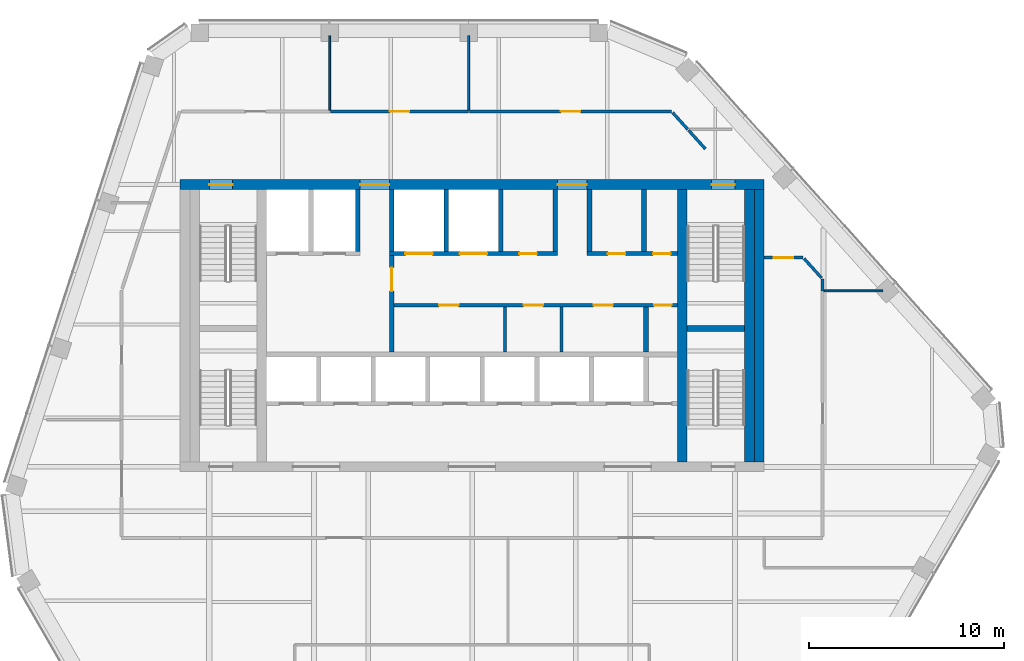
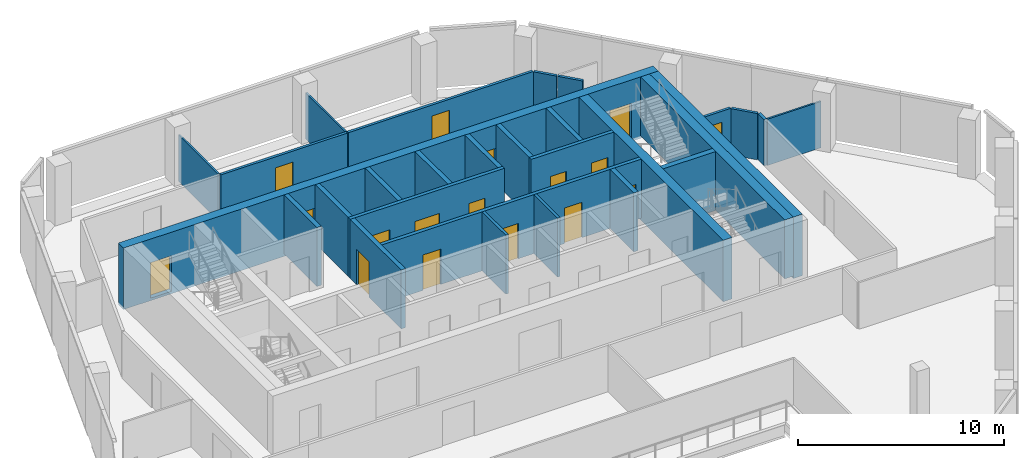
# One storey, part 9 of 15: 29 walls, 17 doors, 17 openings.
"""IFC4 building model written with IfcOpenShell, lengths in metres."""

from ifc_helpers import new_model, si_unit, direction, frame, frame_2d, origin, place, context, subcontext, project, spatial, rectangle, extrude, material, layer, layer_set, type_object, element, fill, save


model = new_model("IFC4")

# Units and contexts
model_context = context("Model", 3, precision=1e-05, world=origin(), true_north=direction((0.0, 1.0)))
body_context = subcontext(model_context, "Body", "Model", "MODEL_VIEW")
ifc_project = project(units=[si_unit("LENGTHUNIT", "METRE"), si_unit("AREAUNIT", "SQUARE_METRE"), si_unit("VOLUMEUNIT", "CUBIC_METRE"), si_unit("PLANEANGLEUNIT", "RADIAN"), si_unit("MASSUNIT", "GRAM", prefix="KILO")], contexts=[model_context])

# Site, building, storey
site_placement = place(None, origin())
site = spatial("IfcSite", under=ifc_project, at=site_placement, CompositionType="ELEMENT")
building_placement = place(site_placement, origin())
building = spatial("IfcBuilding", under=site, at=building_placement, Name="Isthmus Gate Tower", CompositionType="ELEMENT")
storey_placement = place(building_placement, frame((0.0, 0.0, 286.5)))
storey = spatial("IfcBuildingStorey", under=building, at=storey_placement, Name="L73", CompositionType="ELEMENT", Elevation=286.5)

# Wall
ifc_material_1 = material(Name="Gypsum board on steel studs, fire-rated", Category="steel")
ifc_layer_1 = layer(ifc_material_1, 0.14990234375)
ifc_layer_set_1 = layer_set([ifc_layer_1], Name="CORRIDOR WALL 150 60 MIN")
wall_type_1 = type_object("IfcWallType", Name="CORRIDOR WALL 150 60 MIN", PredefinedType="PARTITIONING", material=ifc_layer_set_1)
wall_1_placement = place(storey_placement, frame((18.0, 9.89501953125, 0.0), z_axis=(0.0, 0.0, 1.0), x_axis=(0.0, -1.0, 0.0)))
element("IfcWall", 1, at=wall_1_placement, inside=storey, type_object=wall_type_1, Name="L73 Corridor Wall 150 60 Min", PredefinedType="PARTITIONING", context=body_context, shape_type="SweptSolid", body=[
    extrude(rectangle(XDim=0.60498046875, YDim=0.14990234375, at=frame_2d((0.302490234375, 0.0))), origin(), (0.0, 0.0, 1.0), 2.750732421875),
])

# Wall, opening, door
wall_2_placement = place(storey_placement, frame((-7.260009765625, 18.5, 0.0), z_axis=(0.0, 0.0, 1.0), x_axis=(1.0, 0.0, 0.0)))
wall_2 = element("IfcWall", 2, at=wall_2_placement, inside=storey, type_object=wall_type_1, Name="L73 Corridor Wall 150 60 Min", PredefinedType="PARTITIONING", context=body_context, shape_type="SweptSolid", body=[
    extrude(rectangle(XDim=7.0849609375, YDim=0.14990234375, at=frame_2d((3.54248046875, 0.0))), origin(), (0.0, 0.0, 1.0), 2.750732421875),
])
opening_1_placement = place(wall_2_placement, frame((3.04248046875, 0.0, 0.0)))
opening_1 = element("IfcOpeningElement", 3, at=opening_1_placement, cuts=wall_2, Name="Opening DT-T6C-02", PredefinedType="OPENING", context=body_context, shape_type="SweptSolid", body=[
    extrude(rectangle(XDim=1.0, YDim=2.10009765625, at=frame_2d((0.5, 1.050048828125))), frame((0.0, 0.0849609375, 0.0), z_axis=(0.0, -1.0, 0.0), x_axis=(1.0, 0.0, 0.0)), (0.0, 0.0, 1.0), 0.169921875),
])
ifc_material_2 = material(Name="Solid core timber door leaf, fire-rated", Category="wood")
door_type_1 = type_object("IfcDoorType", Name="FIRE DOOR ROOM 1000 X 2100 60 MIN", OperationType="SINGLE_SWING_LEFT", PredefinedType="DOOR", material=ifc_material_2)
door_1_placement = place(opening_1_placement, origin())
door_1 = element("IfcDoor", 4, at=door_1_placement, inside=storey, type_object=door_type_1, Name="L73 room door", OperationType="SINGLE_SWING_RIGHT", OverallHeight=2.10009765625, OverallWidth=1.0, PredefinedType="DOOR", context=body_context, shape_type="SweptSolid", body=[
    extrude(rectangle(XDim=1.0, YDim=2.10009765625, at=frame_2d((0.5, 1.050048828125))), frame((0.0, 0.02490234375, 0.0), z_axis=(0.0, -1.0, 0.0), x_axis=(1.0, 0.0, 0.0)), (0.0, 0.0, 1.0), 0.050048828125),
])
fill(opening_1, door_1)

wall_3_placement = place(storey_placement, frame((-0.125, 18.5, 0.0), z_axis=(0.0, 0.0, 1.0), x_axis=(1.0, 0.0, 0.0)))
wall_3 = element("IfcWall", 5, at=wall_3_placement, inside=storey, type_object=wall_type_1, Name="L73 Corridor Wall 150 60 Min", PredefinedType="PARTITIONING", context=body_context, shape_type="SweptSolid", body=[
    extrude(rectangle(XDim=10.376953125, YDim=0.14990234375, at=frame_2d((5.1884765625, 0.0))), origin(), (0.0, 0.0, 1.0), 2.750732421875),
])
opening_2_placement = place(wall_3_placement, frame((4.6884765625, 0.0, 0.0)))
opening_2 = element("IfcOpeningElement", 6, at=opening_2_placement, cuts=wall_3, Name="Opening DT-T6C-03", PredefinedType="OPENING", context=body_context, shape_type="SweptSolid", body=[
    extrude(rectangle(XDim=1.0, YDim=2.10009765625, at=frame_2d((0.5, 1.050048828125))), frame((0.0, 0.0849609375, 0.0), z_axis=(0.0, -1.0, 0.0), x_axis=(1.0, 0.0, 0.0)), (0.0, 0.0, 1.0), 0.169921875),
])
door_2_placement = place(opening_2_placement, origin())
door_2 = element("IfcDoor", 7, at=door_2_placement, inside=storey, type_object=door_type_1, Name="L73 room door", OperationType="SINGLE_SWING_RIGHT", OverallHeight=2.10009765625, OverallWidth=1.0, PredefinedType="DOOR", context=body_context, shape_type="SweptSolid", body=[
    extrude(rectangle(XDim=1.0, YDim=2.10009765625, at=frame_2d((0.5, 1.050048828125))), frame((0.0, 0.02490234375, 0.0), z_axis=(0.0, -1.0, 0.0), x_axis=(1.0, 0.0, 0.0)), (0.0, 0.0, 1.0), 0.050048828125),
])
fill(opening_2, door_2)

# Walls
wall_4_placement = place(storey_placement, frame((10.30224609375, 18.4443359375, 0.0), z_axis=(0.0, 0.0, 1.0), x_axis=(0.668964731622, -0.743294146247, 0.0)))
element("IfcWall", 8, at=wall_4_placement, inside=storey, type_object=wall_type_1, Name="L73 Corridor Wall 150 60 Min", PredefinedType="PARTITIONING", context=body_context, shape_type="SweptSolid", body=[
    extrude(rectangle(XDim=1.162841796875, YDim=0.14990234375, at=frame_2d((0.58154296875, 0.0))), origin(), (0.0, 0.0, 1.0), 2.750732421875),
])
wall_5_placement = place(storey_placement, frame((11.113525390625, 17.542724609375, 0.0), z_axis=(0.0, 0.0, 1.0), x_axis=(0.669172057426, -0.743107500675, 0.0)))
element("IfcWall", 9, at=wall_5_placement, inside=storey, type_object=wall_type_1, Name="L73 Corridor Wall 150 60 Min", PredefinedType="PARTITIONING", context=body_context, shape_type="SweptSolid", body=[
    extrude(rectangle(XDim=1.301025390625, YDim=0.14990234375, at=frame_2d((0.650390625, 0.0))), origin(), (0.0, 0.0, 1.0), 2.750732421875),
])

# Wall, opening, door
wall_6_placement = place(storey_placement, frame((15.0, 11.0, 0.0), z_axis=(0.0, 0.0, 1.0), x_axis=(1.0, 0.0, 0.0)))
wall_6 = element("IfcWall", 10, at=wall_6_placement, inside=storey, type_object=wall_type_1, Name="L73 Corridor Wall 150 60 Min", PredefinedType="PARTITIONING", context=body_context, shape_type="SweptSolid", body=[
    extrude(rectangle(XDim=2.0048828125, YDim=0.14990234375, at=frame_2d((1.00244140625, 0.0))), origin(), (0.0, 0.0, 1.0), 2.750732421875),
])
opening_3_placement = place(wall_6_placement, frame((0.50244140625, 0.0, 0.0)))
opening_3 = element("IfcOpeningElement", 11, at=opening_3_placement, cuts=wall_6, Name="Opening DT-T6C-04", PredefinedType="OPENING", context=body_context, shape_type="SweptSolid", body=[
    extrude(rectangle(XDim=1.0, YDim=2.10009765625, at=frame_2d((0.5, 1.050048828125))), frame((0.0, 0.0849609375, 0.0), z_axis=(0.0, -1.0, 0.0), x_axis=(1.0, 0.0, 0.0)), (0.0, 0.0, 1.0), 0.169921875),
])
door_3_placement = place(opening_3_placement, origin())
door_3 = element("IfcDoor", 12, at=door_3_placement, inside=storey, type_object=door_type_1, Name="L73 room door", OperationType="SINGLE_SWING_LEFT", OverallHeight=2.10009765625, OverallWidth=1.0, PredefinedType="DOOR", context=body_context, shape_type="SweptSolid", body=[
    extrude(rectangle(XDim=1.0, YDim=2.10009765625, at=frame_2d((0.5, 1.050048828125))), frame((0.0, 0.02490234375, 0.0), z_axis=(0.0, -1.0, 0.0), x_axis=(1.0, 0.0, 0.0)), (0.0, 0.0, 1.0), 0.050048828125),
])
fill(opening_3, door_3)

# Wall
wall_7_placement = place(storey_placement, frame((17.05517578125, 10.9443359375, 0.0), z_axis=(0.0, 0.0, 1.0), x_axis=(0.669065612335, -0.743203341213, 0.0)))
element("IfcWall", 13, at=wall_7_placement, inside=storey, type_object=wall_type_1, Name="L73 Corridor Wall 150 60 Min", PredefinedType="PARTITIONING", context=body_context, shape_type="SweptSolid", body=[
    extrude(rectangle(XDim=1.3369140625, YDim=0.14990234375, at=frame_2d((0.66845703125, 0.0))), origin(), (0.0, 0.0, 1.0), 2.750732421875),
])

# Wall, opening, door
ifc_material_3 = material(Name="Fire-rated blockwork masonry, 15 MPa", Category="masonry")
ifc_layer_2 = layer(ifc_material_3, 0.25)
ifc_layer_set_2 = layer_set([ifc_layer_2], Name="FIRE-FIGHTING LOBBY WALL 250 90 MIN")
wall_type_2 = type_object("IfcWallType", Name="FIRE-FIGHTING LOBBY WALL 250 90 MIN", PredefinedType="PARTITIONING", material=ifc_layer_set_2)
wall_8_placement = place(storey_placement, frame((-4.125, 6.14990234375, 0.0), z_axis=(0.0, 0.0, 1.0), x_axis=(0.0, 1.0, 0.0)))
wall_8 = element("IfcWall", 14, at=wall_8_placement, inside=storey, type_object=wall_type_2, Name="L73 FIRE-FIGHTING LOBBY WALL 250 90 MIN", PredefinedType="PARTITIONING", context=body_context, shape_type="SweptSolid", body=[
    extrude(rectangle(XDim=4.9501953125, YDim=0.25, at=frame_2d((2.47509765625, 0.0))), origin(), (0.0, 0.0, 1.0), 3.5),
])
opening_4_placement = place(wall_8_placement, frame((3.125, 0.0, 0.0)))
opening_4 = element("IfcOpeningElement", 15, at=opening_4_placement, cuts=wall_8, Name="Opening DC-A19-01", PredefinedType="OPENING", context=body_context, shape_type="SweptSolid", body=[
    extrude(rectangle(XDim=1.199951171875, YDim=2.10009765625, at=frame_2d((0.60009765625, 1.050048828125))), frame((0.0, 0.135009765625, 0.0), z_axis=(0.0, -1.0, 0.0), x_axis=(1.0, 0.0, 0.0)), (0.0, 0.0, 1.0), 0.27001953125),
])
ifc_material_4 = material(Name="Steel door leaf, fire-rated", Category="steel")
door_type_2 = type_object("IfcDoorType", Name="LOBBY FIRE DOOR 1200 X 2100 90 MIN", OperationType="DOUBLE_DOOR_SINGLE_SWING", PredefinedType="DOOR", material=ifc_material_4)
door_4_placement = place(opening_4_placement, origin())
door_4 = element("IfcDoor", 16, at=door_4_placement, inside=storey, type_object=door_type_2, Name="Fire-fighting Lobby Door", OperationType="SINGLE_SWING_LEFT", OverallHeight=2.10009765625, OverallWidth=1.199951171875, PredefinedType="DOOR", context=body_context, shape_type="SweptSolid", body=[
    extrude(rectangle(XDim=1.199951171875, YDim=2.10009765625, at=frame_2d((0.60009765625, 1.050048828125))), frame((0.0, 0.02490234375, 0.0), z_axis=(0.0, -1.0, 0.0), x_axis=(1.0, 0.0, 0.0)), (0.0, 0.0, 1.0), 0.050048828125),
])
fill(opening_4, door_4)

# Wall
ifc_material_5 = material(Name="Concrete f'c 50 MPa", Category="concrete")
ifc_layer_3 = layer(ifc_material_5, 0.5)
ifc_layer_set_3 = layer_set([ifc_layer_3], Name="RC CORE SPINE WALL 500 F'C 50")
wall_type_3 = type_object("IfcWallType", Name="RC CORE SPINE WALL 500 F'C 50", PredefinedType="SOLIDWALL", material=ifc_layer_set_3)
wall_9_placement = place(storey_placement, frame((10.800048828125, 0.5, -0.14990234375), z_axis=(0.0, 0.0, 1.0), x_axis=(0.0, 1.0, 0.0)))
element("IfcWall", 17, at=wall_9_placement, inside=storey, type_object=wall_type_3, Name="str-corewall-L73-SPE", PredefinedType="SOLIDWALL", context=body_context, shape_type="SweptSolid", body=[
    extrude(rectangle(XDim=14.0, YDim=0.5, at=frame_2d((7.0, 0.0))), origin(), (0.0, 0.0, 1.0), 3.64990234375),
])

# Wall, openings, doors
ifc_material_6 = material(Name="Concrete f'c 50 MPa", Category="concrete")
ifc_layer_4 = layer(ifc_material_6, 0.5)
ifc_layer_set_4 = layer_set([ifc_layer_4], Name="RC CORE WALL 500 F'C 50")
wall_type_4 = type_object("IfcWallType", Name="RC CORE WALL 500 F'C 50", PredefinedType="SOLIDWALL", material=ifc_layer_set_4)
wall_10_placement = place(storey_placement, frame((-15.0, 14.75, -0.14990234375), z_axis=(0.0, 0.0, 1.0), x_axis=(1.0, 0.0, 0.0)))
wall_10 = element("IfcWall", 18, at=wall_10_placement, inside=storey, type_object=wall_type_4, Name="str-corewall-L73-N", PredefinedType="SOLIDWALL", context=body_context, shape_type="SweptSolid", body=[
    extrude(rectangle(XDim=30.0, YDim=0.5, at=frame_2d((15.0, 0.0))), origin(), (0.0, 0.0, 1.0), 3.64990234375),
])
opening_5_placement = place(wall_10_placement, frame((9.25, 0.0, 0.14990234375)))
opening_5 = element("IfcOpeningElement", 19, at=opening_5_placement, cuts=wall_10, Name="Opening DC-A19-13", PredefinedType="OPENING", context=body_context, shape_type="SweptSolid", body=[
    extrude(rectangle(XDim=1.5, YDim=2.10009765625, at=frame_2d((0.75, 1.050048828125))), frame((0.0, 0.260009765625, 0.0), z_axis=(0.0, -1.0, 0.0), x_axis=(1.0, 0.0, 0.0)), (0.0, 0.0, 1.0), 0.52001953125),
])
opening_6_placement = place(wall_10_placement, frame((19.39990234375, 0.0, 0.14990234375)))
opening_6 = element("IfcOpeningElement", 20, at=opening_6_placement, cuts=wall_10, Name="Opening DC-A19-14", PredefinedType="OPENING", context=body_context, shape_type="SweptSolid", body=[
    extrude(rectangle(XDim=1.5, YDim=2.10009765625, at=frame_2d((0.75, 1.050048828125))), frame((0.0, 0.260009765625, 0.0), z_axis=(0.0, -1.0, 0.0), x_axis=(1.0, 0.0, 0.0)), (0.0, 0.0, 1.0), 0.52001953125),
])
opening_7_placement = place(wall_10_placement, frame((1.5, 0.0, 0.14990234375)))
opening_7 = element("IfcOpeningElement", 21, at=opening_7_placement, cuts=wall_10, Name="Opening DC-A19-15", PredefinedType="OPENING", context=body_context, shape_type="SweptSolid", body=[
    extrude(rectangle(XDim=1.199951171875, YDim=2.10009765625, at=frame_2d((0.60009765625, 1.050048828125))), frame((0.0, 0.260009765625, 0.0), z_axis=(0.0, -1.0, 0.0), x_axis=(1.0, 0.0, 0.0)), (0.0, 0.0, 1.0), 0.52001953125),
])
opening_8_placement = place(wall_10_placement, frame((27.300048828125, 0.0, 0.14990234375)))
opening_8 = element("IfcOpeningElement", 22, at=opening_8_placement, cuts=wall_10, Name="Opening DC-A19-16", PredefinedType="OPENING", context=body_context, shape_type="SweptSolid", body=[
    extrude(rectangle(XDim=1.199951171875, YDim=2.10009765625, at=frame_2d((0.60009765625, 1.050048828125))), frame((0.0, 0.260009765625, 0.0), z_axis=(0.0, -1.0, 0.0), x_axis=(1.0, 0.0, 0.0)), (0.0, 0.0, 1.0), 0.52001953125),
])
ifc_material_7 = material(Name="Steel door leaf, fire-rated", Category="steel")
door_type_3 = type_object("IfcDoorType", Name="LOBBY FIRE DOOR 1500 X 2100 60 MIN", OperationType="DOUBLE_DOOR_SINGLE_SWING", PredefinedType="DOOR", material=ifc_material_7)
door_5_placement = place(opening_6_placement, origin())
door_5 = element("IfcDoor", 23, at=door_5_placement, inside=storey, type_object=door_type_3, Name="Lobby Door PN-E", OperationType="DOUBLE_DOOR_SINGLE_SWING", OverallHeight=2.10009765625, OverallWidth=1.5, PredefinedType="DOOR", context=body_context, shape_type="SweptSolid", body=[
    extrude(rectangle(XDim=1.5, YDim=2.10009765625, at=frame_2d((0.75, 1.050048828125))), frame((0.0, 0.02490234375, 0.0), z_axis=(0.0, -1.0, 0.0), x_axis=(1.0, 0.0, 0.0)), (0.0, 0.0, 1.0), 0.050048828125),
])
fill(opening_6, door_5)
ifc_material_8 = material(Name="Steel door leaf, fire-rated", Category="steel")
door_type_4 = type_object("IfcDoorType", Name="LOBBY FIRE DOOR 1500 X 2100 90 MIN", OperationType="DOUBLE_DOOR_SINGLE_SWING", PredefinedType="DOOR", material=ifc_material_8)
door_6_placement = place(opening_5_placement, origin())
door_6 = element("IfcDoor", 24, at=door_6_placement, inside=storey, type_object=door_type_4, Name="Lobby Door PN-W", OperationType="DOUBLE_DOOR_SINGLE_SWING", OverallHeight=2.10009765625, OverallWidth=1.5, PredefinedType="DOOR", context=body_context, shape_type="SweptSolid", body=[
    extrude(rectangle(XDim=1.5, YDim=2.10009765625, at=frame_2d((0.75, 1.050048828125))), frame((0.0, 0.02490234375, 0.0), z_axis=(0.0, -1.0, 0.0), x_axis=(1.0, 0.0, 0.0)), (0.0, 0.0, 1.0), 0.050048828125),
])
fill(opening_5, door_6)
ifc_material_9 = material(Name="Steel door leaf, fire-rated", Category="steel")
door_type_5 = type_object("IfcDoorType", Name="STAIR FIRE DOOR 1200 X 2100 90 MIN", OperationType="SINGLE_SWING_LEFT", PredefinedType="DOOR", material=ifc_material_9)
door_7_placement = place(opening_7_placement, origin())
door_7 = element("IfcDoor", 25, at=door_7_placement, inside=storey, type_object=door_type_5, Name="Exit Stair 1 Door", OperationType="SINGLE_SWING_RIGHT", OverallHeight=2.10009765625, OverallWidth=1.199951171875, PredefinedType="DOOR", context=body_context, shape_type="SweptSolid", body=[
    extrude(rectangle(XDim=1.199951171875, YDim=2.10009765625, at=frame_2d((0.60009765625, 1.050048828125))), frame((0.0, 0.02490234375, 0.0), z_axis=(0.0, -1.0, 0.0), x_axis=(1.0, 0.0, 0.0)), (0.0, 0.0, 1.0), 0.050048828125),
])
fill(opening_7, door_7)
door_8_placement = place(opening_8_placement, origin())
door_8 = element("IfcDoor", 26, at=door_8_placement, inside=storey, type_object=door_type_5, Name="Exit Stair 2 Door", OperationType="SINGLE_SWING_LEFT", OverallHeight=2.10009765625, OverallWidth=1.199951171875, PredefinedType="DOOR", context=body_context, shape_type="SweptSolid", body=[
    extrude(rectangle(XDim=1.199951171875, YDim=2.10009765625, at=frame_2d((0.60009765625, 1.050048828125))), frame((0.0, 0.02490234375, 0.0), z_axis=(0.0, -1.0, 0.0), x_axis=(1.0, 0.0, 0.0)), (0.0, 0.0, 1.0), 0.050048828125),
])
fill(opening_8, door_8)

# Walls
wall_11_placement = place(storey_placement, frame((14.75, 0.5, -0.14990234375), z_axis=(0.0, 0.0, 1.0), x_axis=(0.0, 1.0, 0.0)))
element("IfcWall", 27, at=wall_11_placement, inside=storey, type_object=wall_type_4, Name="str-corewall-L73-E", PredefinedType="SOLIDWALL", context=body_context, shape_type="SweptSolid", body=[
    extrude(rectangle(XDim=14.0, YDim=0.5, at=frame_2d((7.0, 0.0))), origin(), (0.0, 0.0, 1.0), 3.64990234375),
])
ifc_material_10 = material(Name="Gypsum board on steel studs, fire-rated", Category="steel")
ifc_layer_5 = layer(ifc_material_10, 0.10009765625)
ifc_layer_set_5 = layer_set([ifc_layer_5], Name="ROOM PARTITION 100 30 MIN")
wall_type_5 = type_object("IfcWallType", Name="ROOM PARTITION 100 30 MIN", PredefinedType="PARTITIONING", material=ifc_layer_set_5)
for number, where, z_axis, x_axis, name in (
    (28, (-7.31005859375, 18.574951171875, 0.0), (0.0, 0.0, 1.0), (0.0, 1.0, 0.0), "L73 Room Partition 100 30 Min"),
    (29, (-0.175048828125, 18.574951171875, 0.0), (0.0, 0.0, 1.0), (0.0, 1.0, 0.0), "L73 Room Partition 100 30 Min"),
):
    element("IfcWall", number, at=place(storey_placement, frame(where, z_axis=z_axis, x_axis=x_axis)), inside=storey, type_object=wall_type_5, Name=name, PredefinedType="PARTITIONING", context=body_context, shape_type="SweptSolid", body=[
        extrude(rectangle(XDim=3.824951171875, YDim=0.10009765625, at=frame_2d((1.91259765625, 0.0))), origin(), (0.0, 0.0, 1.0), 2.750732421875),
    ])
wall_12_placement = place(storey_placement, frame((18.074951171875, 9.2900390625, 0.0), z_axis=(0.0, 0.0, 1.0), x_axis=(1.0, 0.0, 0.0)))
element("IfcWall", 30, at=wall_12_placement, inside=storey, type_object=wall_type_5, Name="L73 Room Partition 100 30 Min", PredefinedType="PARTITIONING", context=body_context, shape_type="SweptSolid", body=[
    extrude(rectangle(XDim=3.026123046875, YDim=0.10009765625, at=frame_2d((1.51318359375, 0.0))), origin(), (0.0, 0.0, 1.0), 2.750732421875),
])
ifc_material_11 = material(Name="Gypsum board on steel studs, fire-rated", Category="steel")
ifc_layer_6 = layer(ifc_material_11, 0.14990234375)
ifc_layer_set_6 = layer_set([ifc_layer_6], Name="ROOM PARTITION 150 60 MIN")
wall_type_6 = type_object("IfcWallType", Name="ROOM PARTITION 150 60 MIN", PredefinedType="PARTITIONING", material=ifc_layer_set_6)
for number, where, z_axis, x_axis, name in (
    (31, (1.699951171875, 6.14990234375, 0.0), (0.0, 0.0, 1.0), (0.0, 1.0, 0.0), "L73 ROOM PARTITION 150 60 MIN"),
    (32, (4.60009765625, 6.14990234375, 0.0), (0.0, 0.0, 1.0), (0.0, 1.0, 0.0), "L73 ROOM PARTITION 150 60 MIN"),
):
    element("IfcWall", number, at=place(storey_placement, frame(where, z_axis=z_axis, x_axis=x_axis)), inside=storey, type_object=wall_type_6, Name=name, PredefinedType="PARTITIONING", context=body_context, shape_type="SweptSolid", body=[
        extrude(rectangle(XDim=2.300048828125, YDim=0.14990234375, at=frame_2d((1.14990234375, 0.0))), origin(), (0.0, 0.0, 1.0), 3.5),
    ])

# Wall, openings, doors
ifc_material_12 = material(Name="Fire-rated blockwork masonry, 15 MPa", Category="masonry")
ifc_layer_7 = layer(ifc_material_12, 0.199951171875)
ifc_layer_set_7 = layer_set([ifc_layer_7], Name="SHAFT FRONT WALL 200 120 MIN")
wall_type_7 = type_object("IfcWallType", Name="SHAFT FRONT WALL 200 120 MIN", PredefinedType="PARTITIONING", material=ifc_layer_set_7)
wall_13_placement = place(storey_placement, frame((-4.125, 8.550048828125, 0.0), z_axis=(0.0, 0.0, 1.0), x_axis=(1.0, 0.0, 0.0)))
wall_13 = element("IfcWall", 33, at=wall_13_placement, inside=storey, type_object=wall_type_7, Name="L73 SHAFT FRONT WALL 200 120 MIN", PredefinedType="PARTITIONING", context=body_context, shape_type="SweptSolid", body=[
    extrude(rectangle(XDim=14.675048828125, YDim=0.199951171875, at=frame_2d((7.33740234375, 0.0))), origin(), (0.0, 0.0, 1.0), 3.5),
])
opening_9_placement = place(wall_13_placement, frame((2.4375, 0.0, 0.0)))
opening_9 = element("IfcOpeningElement", 34, at=opening_9_placement, cuts=wall_13, Name="Opening DC-A19-03", PredefinedType="OPENING", context=body_context, shape_type="SweptSolid", body=[
    extrude(rectangle(XDim=1.0, YDim=2.10009765625, at=frame_2d((0.5, 1.050048828125))), frame((0.0, 0.10986328125, 0.0), z_axis=(0.0, -1.0, 0.0), x_axis=(1.0, 0.0, 0.0)), (0.0, 0.0, 1.0), 0.219970703125),
])
opening_10_placement = place(wall_13_placement, frame((6.77490234375, 0.0, 0.0)))
opening_10 = element("IfcOpeningElement", 35, at=opening_10_placement, cuts=wall_13, Name="Opening DC-A19-04", PredefinedType="OPENING", context=body_context, shape_type="SweptSolid", body=[
    extrude(rectangle(XDim=1.0, YDim=2.10009765625, at=frame_2d((0.5, 1.050048828125))), frame((0.0, 0.10986328125, 0.0), z_axis=(0.0, -1.0, 0.0), x_axis=(1.0, 0.0, 0.0)), (0.0, 0.0, 1.0), 0.219970703125),
])
opening_11_placement = place(wall_13_placement, frame((10.362548828125, 0.0, 0.0)))
opening_11 = element("IfcOpeningElement", 36, at=opening_11_placement, cuts=wall_13, Name="Opening DC-A19-05", PredefinedType="OPENING", context=body_context, shape_type="SweptSolid", body=[
    extrude(rectangle(XDim=1.0, YDim=2.10009765625, at=frame_2d((0.5, 1.050048828125))), frame((0.0, 0.10986328125, 0.0), z_axis=(0.0, -1.0, 0.0), x_axis=(1.0, 0.0, 0.0)), (0.0, 0.0, 1.0), 0.219970703125),
])
opening_12_placement = place(wall_13_placement, frame((13.47509765625, 0.0, 0.0)))
opening_12 = element("IfcOpeningElement", 37, at=opening_12_placement, cuts=wall_13, Name="Opening DC-A19-06", PredefinedType="OPENING", context=body_context, shape_type="SweptSolid", body=[
    extrude(rectangle(XDim=0.89990234375, YDim=2.10009765625, at=frame_2d((0.449951171875, 1.050048828125))), frame((0.0, 0.10986328125, 0.0), z_axis=(0.0, -1.0, 0.0), x_axis=(1.0, 0.0, 0.0)), (0.0, 0.0, 1.0), 0.219970703125),
])
ifc_material_13 = material(Name="Steel door leaf, fire-rated", Category="steel")
door_type_6 = type_object("IfcDoorType", Name="FIRE DOOR 1000 X 2100 60 MIN", OperationType="SINGLE_SWING_LEFT", PredefinedType="DOOR", material=ifc_material_13)
door_9_placement = place(opening_9_placement, origin())
door_9 = element("IfcDoor", 38, at=door_9_placement, inside=storey, type_object=door_type_6, Name="WC Women Door", OperationType="SINGLE_SWING_LEFT", OverallHeight=2.10009765625, OverallWidth=1.0, PredefinedType="DOOR", context=body_context, shape_type="SweptSolid", body=[
    extrude(rectangle(XDim=1.0, YDim=2.10009765625, at=frame_2d((0.5, 1.050048828125))), frame((0.0, 0.02490234375, 0.0), z_axis=(0.0, -1.0, 0.0), x_axis=(1.0, 0.0, 0.0)), (0.0, 0.0, 1.0), 0.050048828125),
])
fill(opening_9, door_9)
door_10_placement = place(opening_10_placement, origin())
door_10 = element("IfcDoor", 39, at=door_10_placement, inside=storey, type_object=door_type_6, Name="Accessible WC Door", OperationType="SINGLE_SWING_RIGHT", OverallHeight=2.10009765625, OverallWidth=1.0, PredefinedType="DOOR", context=body_context, shape_type="SweptSolid", body=[
    extrude(rectangle(XDim=1.0, YDim=2.10009765625, at=frame_2d((0.5, 1.050048828125))), frame((0.0, 0.02490234375, 0.0), z_axis=(0.0, -1.0, 0.0), x_axis=(1.0, 0.0, 0.0)), (0.0, 0.0, 1.0), 0.050048828125),
])
fill(opening_10, door_10)
door_11_placement = place(opening_11_placement, origin())
door_11 = element("IfcDoor", 40, at=door_11_placement, inside=storey, type_object=door_type_6, Name="WC Men Door", OperationType="SINGLE_SWING_LEFT", OverallHeight=2.10009765625, OverallWidth=1.0, PredefinedType="DOOR", context=body_context, shape_type="SweptSolid", body=[
    extrude(rectangle(XDim=1.0, YDim=2.10009765625, at=frame_2d((0.5, 1.050048828125))), frame((0.0, 0.02490234375, 0.0), z_axis=(0.0, -1.0, 0.0), x_axis=(1.0, 0.0, 0.0)), (0.0, 0.0, 1.0), 0.050048828125),
])
fill(opening_11, door_11)
ifc_material_14 = material(Name="Steel door leaf, fire-rated", Category="steel")
door_type_7 = type_object("IfcDoorType", Name="RISER FIRE DOOR 900 X 2100 90 MIN", OperationType="SINGLE_SWING_LEFT", PredefinedType="DOOR", material=ifc_material_14)
door_12_placement = place(opening_12_placement, origin())
door_12 = element("IfcDoor", 41, at=door_12_placement, inside=storey, type_object=door_type_7, Name="Riser Door", OperationType="SINGLE_SWING_RIGHT", OverallHeight=2.10009765625, OverallWidth=0.89990234375, PredefinedType="DOOR", context=body_context, shape_type="SweptSolid", body=[
    extrude(rectangle(XDim=0.89990234375, YDim=2.10009765625, at=frame_2d((0.449951171875, 1.050048828125))), frame((0.0, 0.02490234375, 0.0), z_axis=(0.0, -1.0, 0.0), x_axis=(1.0, 0.0, 0.0)), (0.0, 0.0, 1.0), 0.050048828125),
])
fill(opening_12, door_12)

wall_14_placement = place(storey_placement, frame((-4.25, 11.199951171875, 0.0), z_axis=(0.0, 0.0, 1.0), x_axis=(1.0, 0.0, 0.0)))
wall_14 = element("IfcWall", 42, at=wall_14_placement, inside=storey, type_object=wall_type_7, Name="L73 SHAFT FRONT WALL 200 120 MIN", PredefinedType="PARTITIONING", context=body_context, shape_type="SweptSolid", body=[
    extrude(rectangle(XDim=8.64990234375, YDim=0.199951171875, at=frame_2d((4.324951171875, 0.0))), origin(), (0.0, 0.0, 1.0), 3.5),
])
opening_13_placement = place(wall_14_placement, frame((0.824951171875, 0.0, 0.0)))
opening_13 = element("IfcOpeningElement", 43, at=opening_13_placement, cuts=wall_14, Name="Opening LD-LV1", PredefinedType="OPENING", context=body_context, shape_type="SweptSolid", body=[
    extrude(rectangle(XDim=1.39990234375, YDim=2.10009765625, at=frame_2d((0.699951171875, 1.050048828125))), frame((0.0, 0.10986328125, 0.0), z_axis=(0.0, -1.0, 0.0), x_axis=(1.0, 0.0, 0.0)), (0.0, 0.0, 1.0), 0.219970703125),
])
opening_14_placement = place(wall_14_placement, frame((3.625, 0.0, 0.0)))
opening_14 = element("IfcOpeningElement", 44, at=opening_14_placement, cuts=wall_14, Name="Opening LD-LV2", PredefinedType="OPENING", context=body_context, shape_type="SweptSolid", body=[
    extrude(rectangle(XDim=1.39990234375, YDim=2.10009765625, at=frame_2d((0.699951171875, 1.050048828125))), frame((0.0, 0.10986328125, 0.0), z_axis=(0.0, -1.0, 0.0), x_axis=(1.0, 0.0, 0.0)), (0.0, 0.0, 1.0), 0.219970703125),
])
opening_15_placement = place(wall_14_placement, frame((6.675048828125, 0.0, 0.0)))
opening_15 = element("IfcOpeningElement", 45, at=opening_15_placement, cuts=wall_14, Name="Opening DC-A19-07", PredefinedType="OPENING", context=body_context, shape_type="SweptSolid", body=[
    extrude(rectangle(XDim=0.89990234375, YDim=2.10009765625, at=frame_2d((0.449951171875, 1.050048828125))), frame((0.0, 0.10986328125, 0.0), z_axis=(0.0, -1.0, 0.0), x_axis=(1.0, 0.0, 0.0)), (0.0, 0.0, 1.0), 0.219970703125),
])
ifc_material_15 = material(Name="Steel door leaf, fire-rated", Category="steel")
door_type_8 = type_object("IfcDoorType", Name="FIRE DOOR 900 X 2100 60 MIN", OperationType="SINGLE_SWING_LEFT", PredefinedType="DOOR", material=ifc_material_15)
door_13_placement = place(opening_15_placement, origin())
door_13 = element("IfcDoor", 46, at=door_13_placement, inside=storey, type_object=door_type_8, Name="Comms Room Door", OperationType="SINGLE_SWING_LEFT", OverallHeight=2.10009765625, OverallWidth=0.89990234375, PredefinedType="DOOR", context=body_context, shape_type="SweptSolid", body=[
    extrude(rectangle(XDim=0.89990234375, YDim=2.10009765625, at=frame_2d((0.449951171875, 1.050048828125))), frame((0.0, 0.02490234375, 0.0), z_axis=(0.0, -1.0, 0.0), x_axis=(1.0, 0.0, 0.0)), (0.0, 0.0, 1.0), 0.050048828125),
])
fill(opening_15, door_13)
ifc_material_16 = material(Name="Stainless steel sliding leaf", Category="steel")
door_type_9 = type_object("IfcDoorType", Name="LIFT LANDING FIRE DOOR 1400 X 2100 90 MIN", OperationType="DOUBLE_DOOR_SLIDING", PredefinedType="DOOR", material=ifc_material_16)
door_14_placement = place(opening_13_placement, origin())
door_14 = element("IfcDoor", 47, at=door_14_placement, inside=storey, type_object=door_type_9, Name="Lift Landing Door LV1", OperationType="DOUBLE_DOOR_SLIDING", OverallHeight=2.10009765625, OverallWidth=1.39990234375, PredefinedType="DOOR", context=body_context, shape_type="SweptSolid", body=[
    extrude(rectangle(XDim=1.39990234375, YDim=2.10009765625, at=frame_2d((0.699951171875, 1.050048828125))), frame((0.0, 0.02490234375, 0.0), z_axis=(0.0, -1.0, 0.0), x_axis=(1.0, 0.0, 0.0)), (0.0, 0.0, 1.0), 0.050048828125),
])
fill(opening_13, door_14)
door_15_placement = place(opening_14_placement, origin())
door_15 = element("IfcDoor", 48, at=door_15_placement, inside=storey, type_object=door_type_9, Name="Lift Landing Door LV2", OperationType="DOUBLE_DOOR_SLIDING", OverallHeight=2.10009765625, OverallWidth=1.39990234375, PredefinedType="DOOR", context=body_context, shape_type="SweptSolid", body=[
    extrude(rectangle(XDim=1.39990234375, YDim=2.10009765625, at=frame_2d((0.699951171875, 1.050048828125))), frame((0.0, 0.02490234375, 0.0), z_axis=(0.0, -1.0, 0.0), x_axis=(1.0, 0.0, 0.0)), (0.0, 0.0, 1.0), 0.050048828125),
])
fill(opening_14, door_15)

wall_15_placement = place(storey_placement, frame((5.89990234375, 11.199951171875, 0.0), z_axis=(0.0, 0.0, 1.0), x_axis=(1.0, 0.0, 0.0)))
wall_15 = element("IfcWall", 49, at=wall_15_placement, inside=storey, type_object=wall_type_7, Name="L73 SHAFT FRONT WALL 200 120 MIN", PredefinedType="PARTITIONING", context=body_context, shape_type="SweptSolid", body=[
    extrude(rectangle(XDim=4.650146484375, YDim=0.199951171875, at=frame_2d((2.3251953125, 0.0))), origin(), (0.0, 0.0, 1.0), 3.5),
])
opening_16_placement = place(wall_15_placement, frame((1.074951171875, 0.0, 0.0)))
opening_16 = element("IfcOpeningElement", 50, at=opening_16_placement, cuts=wall_15, Name="Opening DC-A19-08", PredefinedType="OPENING", context=body_context, shape_type="SweptSolid", body=[
    extrude(rectangle(XDim=0.89990234375, YDim=2.10009765625, at=frame_2d((0.449951171875, 1.050048828125))), frame((0.0, 0.10986328125, 0.0), z_axis=(0.0, -1.0, 0.0), x_axis=(1.0, 0.0, 0.0)), (0.0, 0.0, 1.0), 0.219970703125),
])
opening_17_placement = place(wall_15_placement, frame((3.39990234375, 0.0, 0.0)))
opening_17 = element("IfcOpeningElement", 51, at=opening_17_placement, cuts=wall_15, Name="Opening DC-A19-09", PredefinedType="OPENING", context=body_context, shape_type="SweptSolid", body=[
    extrude(rectangle(XDim=0.89990234375, YDim=2.10009765625, at=frame_2d((0.449951171875, 1.050048828125))), frame((0.0, 0.10986328125, 0.0), z_axis=(0.0, -1.0, 0.0), x_axis=(1.0, 0.0, 0.0)), (0.0, 0.0, 1.0), 0.219970703125),
])
door_16_placement = place(opening_16_placement, origin())
door_16 = element("IfcDoor", 52, at=door_16_placement, inside=storey, type_object=door_type_8, Name="Stationery Store Door", OperationType="SINGLE_SWING_RIGHT", OverallHeight=2.10009765625, OverallWidth=0.89990234375, PredefinedType="DOOR", context=body_context, shape_type="SweptSolid", body=[
    extrude(rectangle(XDim=0.89990234375, YDim=2.10009765625, at=frame_2d((0.449951171875, 1.050048828125))), frame((0.0, 0.02490234375, 0.0), z_axis=(0.0, -1.0, 0.0), x_axis=(1.0, 0.0, 0.0)), (0.0, 0.0, 1.0), 0.050048828125),
])
fill(opening_16, door_16)
door_17_placement = place(opening_17_placement, origin())
door_17 = element("IfcDoor", 53, at=door_17_placement, inside=storey, type_object=door_type_7, Name="Riser Door", OperationType="SINGLE_SWING_LEFT", OverallHeight=2.10009765625, OverallWidth=0.89990234375, PredefinedType="DOOR", context=body_context, shape_type="SweptSolid", body=[
    extrude(rectangle(XDim=0.89990234375, YDim=2.10009765625, at=frame_2d((0.449951171875, 1.050048828125))), frame((0.0, 0.02490234375, 0.0), z_axis=(0.0, -1.0, 0.0), x_axis=(1.0, 0.0, 0.0)), (0.0, 0.0, 1.0), 0.050048828125),
])
fill(opening_17, door_17)

# Walls
ifc_material_17 = material(Name="Fire-rated blockwork masonry, 15 MPa", Category="masonry")
ifc_layer_8 = layer(ifc_material_17, 0.25)
ifc_layer_set_8 = layer_set([ifc_layer_8], Name="SHAFT WALL 250 120 MIN")
wall_type_8 = type_object("IfcWallType", Name="SHAFT WALL 250 120 MIN", PredefinedType="PARTITIONING", material=ifc_layer_set_8)
wall_16_placement = place(storey_placement, frame((8.925048828125, 6.14990234375, 0.0), z_axis=(0.0, 0.0, 1.0), x_axis=(0.0, 1.0, 0.0)))
element("IfcWall", 54, at=wall_16_placement, inside=storey, type_object=wall_type_8, Name="L73 SHAFT WALL 250 120 MIN", PredefinedType="PARTITIONING", context=body_context, shape_type="SweptSolid", body=[
    extrude(rectangle(XDim=2.300048828125, YDim=0.25, at=frame_2d((1.14990234375, 0.0))), origin(), (0.0, 0.0, 1.0), 3.5),
])
for number, where, z_axis, x_axis, name in (
    (55, (-5.875, 11.300048828125, 0.0), (0.0, 0.0, 1.0), (0.0, 1.0, 0.0), "L73 SHAFT WALL 250 120 MIN"),
    (56, (-4.125, 11.300048828125, 0.0), (0.0, 0.0, 1.0), (0.0, 1.0, 0.0), "L73 SHAFT WALL 250 120 MIN"),
    (57, (-1.324951171875, 11.300048828125, 0.0), (0.0, 0.0, 1.0), (0.0, 1.0, 0.0), "L73 SHAFT WALL 250 120 MIN"),
    (58, (1.47509765625, 11.300048828125, 0.0), (0.0, 0.0, 1.0), (0.0, 1.0, 0.0), "L73 SHAFT WALL 250 120 MIN"),
    (59, (4.27490234375, 11.300048828125, 0.0), (0.0, 0.0, 1.0), (0.0, 1.0, 0.0), "L73 SHAFT WALL 250 120 MIN"),
    (60, (6.02490234375, 11.300048828125, 0.0), (0.0, 0.0, 1.0), (0.0, 1.0, 0.0), "L73 SHAFT WALL 250 120 MIN"),
    (61, (8.824951171875, 11.300048828125, 0.0), (0.0, 0.0, 1.0), (0.0, 1.0, 0.0), "L73 SHAFT WALL 250 120 MIN"),
):
    element("IfcWall", number, at=place(storey_placement, frame(where, z_axis=z_axis, x_axis=x_axis)), inside=storey, type_object=wall_type_8, Name=name, PredefinedType="PARTITIONING", context=body_context, shape_type="SweptSolid", body=[
        extrude(rectangle(XDim=3.199951171875, YDim=0.25, at=frame_2d((1.60009765625, 0.0))), origin(), (0.0, 0.0, 1.0), 3.5),
    ])
ifc_material_18 = material(Name="Concrete f'c 40 MPa", Category="concrete")
ifc_layer_9 = layer(ifc_material_18, 0.300048828125)
ifc_layer_set_9 = layer_set([ifc_layer_9], Name="STAIR ENCLOSURE WALL 300 180 MIN")
wall_type_9 = type_object("IfcWallType", Name="STAIR ENCLOSURE WALL 300 180 MIN", PredefinedType="SOLIDWALL", material=ifc_layer_set_9)
wall_17_placement = place(storey_placement, frame((11.050048828125, 7.35009765625, 0.0), z_axis=(0.0, 0.0, 1.0), x_axis=(1.0, 0.0, 0.0)))
element("IfcWall", 62, at=wall_17_placement, inside=storey, type_object=wall_type_9, Name="L73 STAIR ENCLOSURE WALL 300 180 MIN", PredefinedType="SOLIDWALL", context=body_context, shape_type="SweptSolid", body=[
    extrude(rectangle(XDim=2.949951171875, YDim=0.300048828125, at=frame_2d((1.47509765625, 0.0))), origin(), (0.0, 0.0, 1.0), 3.5),
])
ifc_material_19 = material(Name="Concrete f'c 40 MPa", Category="concrete")
ifc_layer_10 = layer(ifc_material_19, 0.5)
ifc_layer_set_10 = layer_set([ifc_layer_10], Name="STAIR ENCLOSURE WALL 500 180 MIN")
wall_type_10 = type_object("IfcWallType", Name="STAIR ENCLOSURE WALL 500 180 MIN", PredefinedType="SOLIDWALL", material=ifc_layer_set_10)
wall_18_placement = place(storey_placement, frame((14.25, 0.5, 0.0), z_axis=(0.0, 0.0, 1.0), x_axis=(0.0, 1.0, 0.0)))
element("IfcWall", 63, at=wall_18_placement, inside=storey, type_object=wall_type_10, Name="L73 STAIR ENCLOSURE WALL 500 180 MIN", PredefinedType="SOLIDWALL", context=body_context, shape_type="SweptSolid", body=[
    extrude(rectangle(XDim=14.0, YDim=0.5, at=frame_2d((7.0, 0.0))), origin(), (0.0, 0.0, 1.0), 3.5),
])

save(model, "model.ifc")
